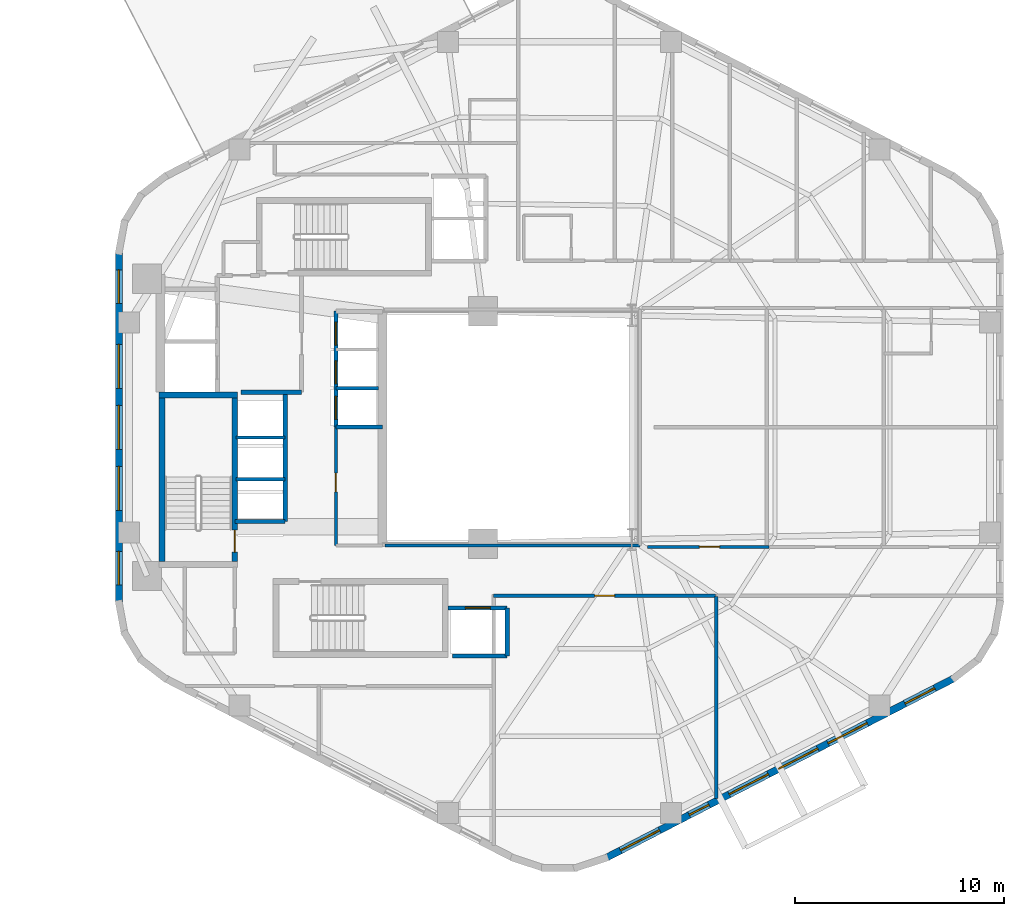
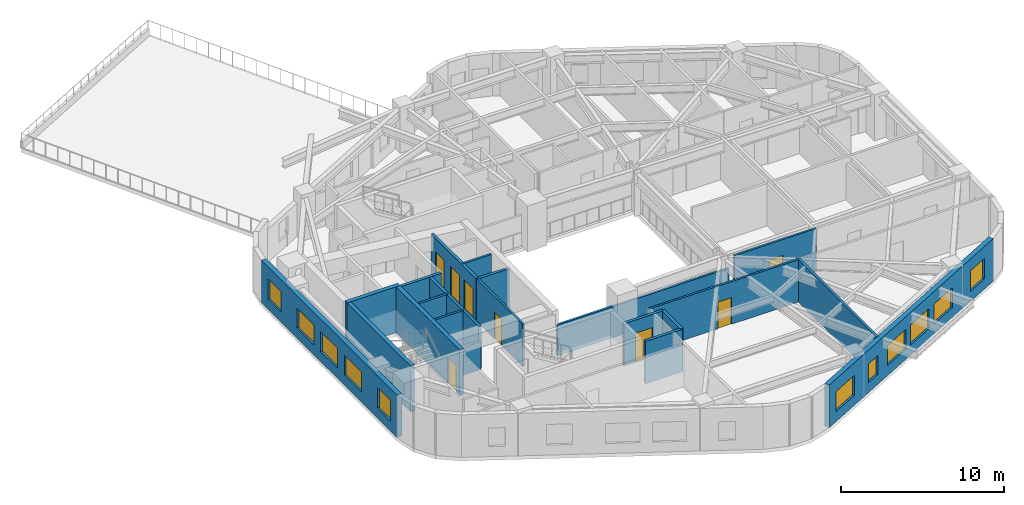
# One storey, part 3 of 8: 21 walls, 11 windows, 8 doors, 19 openings.
"""IFC4 building model written with IfcOpenShell, lengths in metres."""

import ifcopenshell
import ifcopenshell.guid

model = None  # the IFC model being written
_history = None  # IfcOwnerHistory: only IFC2X3 demands one
_inside = {}  # id of a spatial element -> (the spatial element, [elements in it])
_under = {}  # id of a project, library or spatial element -> (it, [spatial elements below it])
_declared = {}  # id of a project -> (the project, [libraries it declares])
_typed = {}  # id of a type object -> (the type object, [elements of that type])
_made_of = {}  # id of a material, layer set ... -> (it, [elements and type objects made of it])


def new_model(schema):
    """Start an empty IFC model of exactly this schema.

    Asked for "IFC4X3", IfcOpenShell would pick the latest addendum, in which some entities
    have other attributes; the version numbers below select the first issue.
    IFC2X3 requires an IfcOwnerHistory on every rooted entity: one is made here for all.
    """
    global model, _history
    if schema == "IFC4X3":
        model = ifcopenshell.file(schema_version=(4, 3, 0, 0))
    else:
        model = ifcopenshell.file(schema=schema)
    _inside.clear()
    _under.clear()
    _declared.clear()
    _typed.clear()
    _made_of.clear()
    _history = None
    if model.schema == "IFC2X3":
        org = make("IfcOrganization", Name="unknown")
        user = make(
            "IfcPersonAndOrganization",
            ThePerson=make("IfcPerson", FamilyName="unknown"),
            TheOrganization=org,
        )
        app = make(
            "IfcApplication",
            ApplicationDeveloper=org,
            Version="unknown",
            ApplicationFullName="unknown",
            ApplicationIdentifier="unknown",
        )
        _history = make(
            "IfcOwnerHistory",
            OwningUser=user,
            OwningApplication=app,
            ChangeAction="ADDED",
            CreationDate=0,
        )
    return model


def make(cls, **values):
    """One entity of the class cls with the attributes given. An attribute that is None is left unset."""
    return model.create_entity(
        cls, **{name: value for name, value in values.items() if value is not None}
    )


def rooted(cls, **values):
    """An entity with a GlobalId (a new one), such as an element, a storey or a relation."""
    return make(cls, GlobalId=ifcopenshell.guid.new(), OwnerHistory=_history, **values)


def si_unit(unit_type, name, prefix=None):
    """IfcSIUnit, for example si_unit("LENGTHUNIT", "METRE", prefix="MILLI")."""
    return make("IfcSIUnit", UnitType=unit_type, Prefix=prefix, Name=name)


def assignment(units):
    """IfcUnitAssignment: the units of a project."""
    return None if units is None else make("IfcUnitAssignment", Units=units)


def point(xyz):
    """IfcCartesianPoint."""
    return None if xyz is None else make("IfcCartesianPoint", Coordinates=xyz)


def direction(xyz):
    """IfcDirection."""
    return None if xyz is None else make("IfcDirection", DirectionRatios=xyz)


def frame(location, z_axis=None, x_axis=None):
    """IfcAxis2Placement3D, a coordinate frame: its origin and axes. An axis left out is left unset."""
    return make(
        "IfcAxis2Placement3D",
        Location=point(location),
        Axis=direction(z_axis),
        RefDirection=direction(x_axis),
    )


def frame_2d(location, x_axis=None):
    """IfcAxis2Placement2D, a coordinate frame in the plane: its origin and x axis."""
    return make(
        "IfcAxis2Placement2D", Location=point(location), RefDirection=direction(x_axis)
    )


def origin():
    """The frame at (0, 0, 0) with its axes left unset."""
    return frame((0.0, 0.0, 0.0))


def place(relative_to, where):
    """IfcLocalPlacement: puts the frame where relative to a parent placement (None: the world)."""
    return make(
        "IfcLocalPlacement", PlacementRelTo=relative_to, RelativePlacement=where
    )


def context(
    kind, dimensions, precision=None, world=None, true_north=None, identifier=None
):
    """IfcGeometricRepresentationContext, for example the 3D "Model" context."""
    return make(
        "IfcGeometricRepresentationContext",
        ContextIdentifier=identifier,
        ContextType=kind,
        CoordinateSpaceDimension=dimensions,
        Precision=precision,
        WorldCoordinateSystem=world,
        TrueNorth=true_north,
    )


def subcontext(parent, identifier, kind, view, scale=None):
    """IfcGeometricRepresentationSubContext, for example "Body" below "Model"."""
    return make(
        "IfcGeometricRepresentationSubContext",
        ContextIdentifier=identifier,
        ContextType=kind,
        ParentContext=parent,
        TargetScale=scale,
        TargetView=view,
    )


def project(units=None, contexts=None):
    """IfcProject with its units and contexts."""
    return rooted(
        "IfcProject",
        Name="project",
        RepresentationContexts=contexts,
        UnitsInContext=assignment(units),
    )


def spatial(cls, under=None, at=None, **own):
    """A site, building, storey or space (cls), placed at a placement, below another one or the project."""
    s = rooted(cls, ObjectPlacement=at, **own)
    if under is not None:
        _under.setdefault(under.id(), (under, []))[1].append(s)
    return s


def profile(cls, at=None, kind="AREA", **sizes):
    """A parametric profile (cls). Its sizes go by their IFC names, for example OverallWidth=200.0."""
    return make(cls, ProfileType=kind, Position=at, **sizes)


def rectangle(**sizes):
    """IfcRectangleProfileDef."""
    return profile("IfcRectangleProfileDef", **sizes)


def extrude(swept, where, along, depth):
    """IfcExtrudedAreaSolid: the profile swept, set in the frame where, extruded along a direction by depth."""
    return make(
        "IfcExtrudedAreaSolid",
        SweptArea=swept,
        Position=where,
        ExtrudedDirection=direction(along),
        Depth=depth,
    )


def shape(context_of_items, identifier, shape_type, items):
    """IfcShapeRepresentation: the items that make up one representation, for example the "Body"."""
    return make(
        "IfcShapeRepresentation",
        ContextOfItems=context_of_items,
        RepresentationIdentifier=identifier,
        RepresentationType=shape_type,
        Items=items,
    )


def material(Name=None, Category=None):
    """IfcMaterial."""
    return make("IfcMaterial", Name=Name, Category=Category)


def layer(
    of_material, thickness, ventilated=None, Name=None, Category=None, Priority=None
):
    """IfcMaterialLayer: one layer of a wall or slab, of a material (None: an air gap)."""
    return make(
        "IfcMaterialLayer",
        Material=of_material,
        LayerThickness=thickness,
        IsVentilated=ventilated,
        Name=Name,
        Category=Category,
        Priority=Priority,
    )


def layer_set(layers, Name=None):
    """IfcMaterialLayerSet."""
    return make("IfcMaterialLayerSet", MaterialLayers=layers, LayerSetName=Name)


def made_of(thing, what):
    """Note that an element or type object is made of a material, layer set ...; save() writes the relation."""
    if what is not None:
        _made_of.setdefault(what.id(), (what, []))[1].append(thing)
    return thing


def type_object(cls, material=None, **own):
    """A type object (cls), such as IfcWallType, which elements share."""
    return made_of(rooted(cls, **own), material)


def element(
    cls,
    number,
    at=None,
    inside=None,
    cuts=None,
    type_object=None,
    material=None,
    context=None,
    identifier="Body",
    shape_type=None,
    held_by="IfcProductDefinitionShape",
    body=None,
    shapes=None,
    **own,
):
    """One element of the class cls, such as IfcWall. Its Tag is "e" and its number.

    at: its placement. inside: the storey or other place that contains it. cuts: it is an
    opening in that element (IfcRelVoidsElement). A single representation is given by context,
    identifier, shape_type and body (its items); several are given by shapes. held_by: the class
    of the entity that holds the representations. save() writes the other relations.
    """
    e = rooted(cls, Tag="e%d" % number, ObjectPlacement=at, **own)
    if body is not None:
        shapes = [shape(context, identifier, shape_type, body)]
    if shapes is not None:
        e.Representation = make(held_by, Representations=shapes)
    if inside is not None:
        _inside.setdefault(inside.id(), (inside, []))[1].append(e)
    if cuts is not None:
        rooted(
            "IfcRelVoidsElement", RelatingBuildingElement=cuts, RelatedOpeningElement=e
        )
    if type_object is not None:
        _typed.setdefault(type_object.id(), (type_object, []))[1].append(e)
    return made_of(e, material)


def fill(opening, filler):
    """IfcRelFillsElement: the door or window that sits in an opening."""
    return rooted(
        "IfcRelFillsElement",
        RelatingOpeningElement=opening,
        RelatedBuildingElement=filler,
    )


def aggregate(whole, parts):
    """IfcRelAggregates: a whole, such as a stair, and the parts it consists of."""
    return rooted("IfcRelAggregates", RelatingObject=whole, RelatedObjects=parts)


def save(model, path):
    """Write the relations noted so far, then the file.

    IfcRelAggregates (storeys below a building ...), IfcRelContainedInSpatialStructure (elements
    in a storey), IfcRelDefinesByType, IfcRelAssociatesMaterial and IfcRelDeclares: one each for
    every whole, place, type object, material and project.
    """
    for whole, parts in _under.values():
        aggregate(whole, parts)
    for where, things in _inside.values():
        rooted(
            "IfcRelContainedInSpatialStructure",
            RelatedElements=things,
            RelatingStructure=where,
        )
    for kind, things in _typed.values():
        rooted("IfcRelDefinesByType", RelatedObjects=things, RelatingType=kind)
    for what, things in _made_of.values():
        rooted("IfcRelAssociatesMaterial", RelatedObjects=things, RelatingMaterial=what)
    for by, libraries in _declared.values():
        rooted("IfcRelDeclares", RelatingContext=by, RelatedDefinitions=libraries)
    model.write(path)


model = new_model("IFC4")

# Units and contexts
model_context = context("Model", 3, precision=1e-05, world=origin(), true_north=direction((0.0, 1.0)))
body_context = subcontext(model_context, "Body", "Model", "MODEL_VIEW")
ifc_project = project(units=[si_unit("LENGTHUNIT", "METRE"), si_unit("AREAUNIT", "SQUARE_METRE"), si_unit("VOLUMEUNIT", "CUBIC_METRE"), si_unit("PLANEANGLEUNIT", "RADIAN"), si_unit("MASSUNIT", "GRAM", prefix="KILO"), si_unit("THERMODYNAMICTEMPERATUREUNIT", "KELVIN"), si_unit("POWERUNIT", "WATT")], contexts=[model_context])

# Site, building, storey
site_placement = place(None, origin())
site = spatial("IfcSite", under=ifc_project, at=site_placement, CompositionType="ELEMENT")
building_placement = place(site_placement, origin())
building = spatial("IfcBuilding", under=site, at=building_placement, Name="Skarre Station Tower", CompositionType="ELEMENT")
storey_placement = place(building_placement, frame((0.0, 0.0, 149.85009765625)))
storey = spatial("IfcBuildingStorey", under=building, at=storey_placement, Name="L40", CompositionType="ELEMENT", Elevation=149.85009765625)

# Wall, opening, door
ifc_material_1 = material(Name="Acoustic Steel-Stud Gypsum Partition", Category="steel")
ifc_layer_1 = layer(ifc_material_1, 0.14990234375, Name="Acoustic Steel-Stud Gypsum Partition")
ifc_layer_set_1 = layer_set([ifc_layer_1], Name="Acoustic Steel-Stud Gypsum Partition")
wall_type_1 = type_object("IfcWallType", Name="Fire-Rated Corridor Acoustic Partition 150", PredefinedType="PARTITIONING", material=ifc_layer_set_1)
wall_1_placement = place(storey_placement, frame((25.320068359375, 24.02001953125, 0.0), z_axis=(0.0, 0.0, 1.0), x_axis=(0.0, -1.0, 0.0)))
wall_1 = element("IfcWall", 1, at=wall_1_placement, inside=storey, type_object=wall_type_1, Name="L40 Interior Partition WL-PT-L40-RC1-W", PredefinedType="PARTITIONING", context=body_context, shape_type="SweptSolid", body=[
    extrude(rectangle(XDim=5.659912109375, YDim=0.14990234375, at=frame_2d((2.830078125, 0.0))), origin(), (0.0, 0.0, 1.0), 3.18994140625),
])
opening_1_placement = place(wall_1_placement, frame((2.199951171875, 0.0, 0.0)))
opening_1 = element("IfcOpeningElement", 2, at=opening_1_placement, cuts=wall_1, Name="Opening DR-SVC90", PredefinedType="OPENING", context=body_context, shape_type="SweptSolid", body=[
    extrude(rectangle(XDim=0.89990234375, YDim=2.0, at=frame_2d((0.449951171875, 1.0))), frame((0.0, 0.0849609375, 0.0), z_axis=(0.0, -1.0, 0.0), x_axis=(1.0, 0.0, 0.0)), (0.0, 0.0, 1.0), 0.169921875),
])
ifc_material_2 = material(Name="Powder-Coated Hollow-Metal Acoustic Fire Leaf", Category="steel")
door_type_1 = type_object("IfcDoorType", Name="Service & Riser Fire Door FD60 900x2100", OperationType="SINGLE_SWING_LEFT", PredefinedType="DOOR", material=ifc_material_2)
door_1_placement = place(opening_1_placement, origin())
door_1 = element("IfcDoor", 3, at=door_1_placement, inside=storey, type_object=door_type_1, Name="L40 Guest Pantry Door", OperationType="SINGLE_SWING_LEFT", OverallHeight=2.0, OverallWidth=0.89990234375, PredefinedType="DOOR", context=body_context, shape_type="SweptSolid", body=[
    extrude(rectangle(XDim=0.89990234375, YDim=2.0, at=frame_2d((0.449951171875, 1.0))), frame((0.0, 0.02490234375, 0.0), z_axis=(0.0, -1.0, 0.0), x_axis=(1.0, 0.0, 0.0)), (0.0, 0.0, 1.0), 0.050048828125),
])
fill(opening_1, door_1)

# Wall
wall_2_placement = place(storey_placement, frame((27.675048828125, 18.360107421875, 0.0), z_axis=(0.0, 0.0, 1.0), x_axis=(1.0, 0.0, 0.0)))
element("IfcWall", 4, at=wall_2_placement, inside=storey, type_object=wall_type_1, Name="L40 Interior Partition WL-PT-L40-ATRW-S", PredefinedType="PARTITIONING", context=body_context, shape_type="SweptSolid", body=[
    extrude(rectangle(XDim=12.1650390625, YDim=0.14990234375, at=frame_2d((6.08251953125, 0.0))), origin(), (0.0, 0.0, 1.0), 2.330810546875),
])

# Wall, opening, door
wall_3_placement = place(storey_placement, frame((46.009033203125, 18.2900390625, 0.0), z_axis=(0.0, 0.0, 1.0), x_axis=(-1.0, 0.0, 0.0)))
wall_3 = element("IfcWall", 5, at=wall_3_placement, inside=storey, type_object=wall_type_1, Name="L40 Interior Partition WL-PT-L40-EWS1-CW", PredefinedType="PARTITIONING", context=body_context, shape_type="SweptSolid", body=[
    extrude(rectangle(XDim=5.80908203125, YDim=0.14990234375, at=frame_2d((2.904541015625, 0.0))), origin(), (0.0, 0.0, 1.0), 3.18994140625),
])
opening_2_placement = place(wall_3_placement, frame((2.366943359375, 0.0, 0.0)))
opening_2 = element("IfcOpeningElement", 6, at=opening_2_placement, cuts=wall_3, Name="Opening DR-FD60", PredefinedType="OPENING", context=body_context, shape_type="SweptSolid", body=[
    extrude(rectangle(XDim=0.9599609375, YDim=2.0, at=frame_2d((0.47998046875, 1.0))), frame((0.0, 0.0849609375, 0.0), z_axis=(0.0, -1.0, 0.0), x_axis=(1.0, 0.0, 0.0)), (0.0, 0.0, 1.0), 0.169921875),
])
ifc_material_3 = material(Name="Nordic White-Oak Veneer Solid-Core Fire Leaf", Category="wood")
door_type_2 = type_object("IfcDoorType", Name="Corridor Suite Entry Fire Door FD60 960x2150", OperationType="SINGLE_SWING_LEFT", PredefinedType="DOOR", material=ifc_material_3)
door_2_placement = place(opening_2_placement, origin())
door_2 = element("IfcDoor", 7, at=door_2_placement, inside=storey, type_object=door_type_2, Name="L40 EWS1 Entry Door", OperationType="SINGLE_SWING_LEFT", OverallHeight=2.0, OverallWidth=0.9599609375, PredefinedType="DOOR", context=body_context, shape_type="SweptSolid", body=[
    extrude(rectangle(XDim=0.9599609375, YDim=2.0, at=frame_2d((0.47998046875, 1.0))), frame((0.0, 0.02490234375, 0.0), z_axis=(0.0, -1.0, 0.0), x_axis=(1.0, 0.0, 0.0)), (0.0, 0.0, 1.0), 0.050048828125),
])
fill(opening_2, door_2)

wall_4_placement = place(storey_placement, frame((32.85009765625, 15.9599609375, 0.0), z_axis=(0.0, 0.0, 1.0), x_axis=(1.0, 0.0, 0.0)))
wall_4 = element("IfcWall", 8, at=wall_4_placement, inside=storey, type_object=wall_type_1, Name="L40 Interior Partition WL-PT-L40-SW1-CW", PredefinedType="PARTITIONING", context=body_context, shape_type="SweptSolid", body=[
    extrude(rectangle(XDim=10.61083984375, YDim=0.14990234375, at=frame_2d((5.305419921875, 0.0))), origin(), (0.0, 0.0, 1.0), 3.18994140625),
])
opening_3_placement = place(wall_4_placement, frame((4.825927734375, 0.0, 0.0)))
opening_3 = element("IfcOpeningElement", 9, at=opening_3_placement, cuts=wall_4, Name="Opening DR-FD60", PredefinedType="OPENING", context=body_context, shape_type="SweptSolid", body=[
    extrude(rectangle(XDim=0.9599609375, YDim=2.0, at=frame_2d((0.47998046875, 1.0))), frame((0.0, 0.0849609375, 0.0), z_axis=(0.0, -1.0, 0.0), x_axis=(1.0, 0.0, 0.0)), (0.0, 0.0, 1.0), 0.169921875),
])
door_3_placement = place(opening_3_placement, origin())
door_3 = element("IfcDoor", 10, at=door_3_placement, inside=storey, type_object=door_type_2, Name="L40 SW1 Entry Door", OperationType="SINGLE_SWING_LEFT", OverallHeight=2.0, OverallWidth=0.9599609375, PredefinedType="DOOR", context=body_context, shape_type="SweptSolid", body=[
    extrude(rectangle(XDim=0.9599609375, YDim=2.0, at=frame_2d((0.47998046875, 1.0))), frame((0.0, 0.02490234375, 0.0), z_axis=(0.0, -1.0, 0.0), x_axis=(1.0, 0.0, 0.0)), (0.0, 0.0, 1.0), 0.050048828125),
])
fill(opening_3, door_3)

# Wall, openings, windows
ifc_material_4 = material(Name="Precast concrete C45/55", Category="concrete")
ifc_layer_2 = layer(ifc_material_4, 0.340087890625, Name="Precast concrete C45/55")
ifc_layer_set_2 = layer_set([ifc_layer_2], Name="Precast concrete C45/55")
wall_type_2 = type_object("IfcWallType", Name="Nordic Honed Precast Facet Wall 340", PredefinedType="STANDARD", material=ifc_layer_set_2)
wall_5_placement = place(storey_placement, frame((14.951904296875, 15.64794921875, 0.0), z_axis=(0.0, 0.0, 1.0), x_axis=(0.0, 1.0, 0.0)))
wall_5 = element("IfcWall", 11, at=wall_5_placement, inside=storey, type_object=wall_type_2, Name="L40 Facet 2 Nordic Precast Masonry Wall", PredefinedType="STANDARD", context=body_context, shape_type="SweptSolid", body=[
    extrude(rectangle(XDim=16.7041015625, YDim=0.340087890625, at=frame_2d((8.35205078125, 0.0))), origin(), (0.0, 0.0, 1.0), 3.18994140625),
])
opening_4_placement = place(wall_5_placement, frame((0.825927734375, 0.0, 0.75)))
opening_4 = element("IfcOpeningElement", 12, at=opening_4_placement, cuts=wall_5, Name="Opening WN-Z2A", PredefinedType="OPENING", context=body_context, shape_type="SweptSolid", body=[
    extrude(rectangle(XDim=1.60009765625, YDim=1.550048828125, at=frame_2d((0.800048828125, 0.77490234375))), frame((0.0, 0.179931640625, 0.0), z_axis=(0.0, -1.0, 0.0), x_axis=(1.0, 0.0, 0.0)), (0.0, 0.0, 1.0), 0.360107421875),
])
opening_5_placement = place(wall_5_placement, frame((4.387939453125, 0.0, 0.75)))
opening_5 = element("IfcOpeningElement", 13, at=opening_5_placement, cuts=wall_5, Name="Opening WN-Z2B", PredefinedType="OPENING", context=body_context, shape_type="SweptSolid", body=[
    extrude(rectangle(XDim=2.10009765625, YDim=1.5, at=frame_2d((1.050048828125, 0.75))), frame((0.0, 0.179931640625, 0.0), z_axis=(0.0, -1.0, 0.0), x_axis=(1.0, 0.0, 0.0)), (0.0, 0.0, 1.0), 0.360107421875),
])
opening_6_placement = place(wall_5_placement, frame((7.302001953125, 0.0, 0.75)))
opening_6 = element("IfcOpeningElement", 14, at=opening_6_placement, cuts=wall_5, Name="Opening WN-Z2B", PredefinedType="OPENING", context=body_context, shape_type="SweptSolid", body=[
    extrude(rectangle(XDim=2.10009765625, YDim=1.5, at=frame_2d((1.050048828125, 0.75))), frame((0.0, 0.179931640625, 0.0), z_axis=(0.0, -1.0, 0.0), x_axis=(1.0, 0.0, 0.0)), (0.0, 0.0, 1.0), 0.360107421875),
])
opening_7_placement = place(wall_5_placement, frame((10.216064453125, 0.0, 0.75)))
opening_7 = element("IfcOpeningElement", 15, at=opening_7_placement, cuts=wall_5, Name="Opening WN-Z2B", PredefinedType="OPENING", context=body_context, shape_type="SweptSolid", body=[
    extrude(rectangle(XDim=2.10009765625, YDim=1.5, at=frame_2d((1.050048828125, 0.75))), frame((0.0, 0.179931640625, 0.0), z_axis=(0.0, -1.0, 0.0), x_axis=(1.0, 0.0, 0.0)), (0.0, 0.0, 1.0), 0.360107421875),
])
opening_8_placement = place(wall_5_placement, frame((14.278076171875, 0.0, 0.75)))
opening_8 = element("IfcOpeningElement", 16, at=opening_8_placement, cuts=wall_5, Name="Opening WN-Z2A", PredefinedType="OPENING", context=body_context, shape_type="SweptSolid", body=[
    extrude(rectangle(XDim=1.60009765625, YDim=1.550048828125, at=frame_2d((0.800048828125, 0.77490234375))), frame((0.0, 0.179931640625, 0.0), z_axis=(0.0, -1.0, 0.0), x_axis=(1.0, 0.0, 0.0)), (0.0, 0.0, 1.0), 0.360107421875),
])
ifc_material_5 = material(Name="Low-Iron Triple Glazing with Bronze Anodized Frame", Category="glass")
window_type_1 = type_object("IfcWindowType", Name="Nordic Residential Tall Window 1600x1550", PartitioningType="SINGLE_PANEL", PredefinedType="WINDOW", material=ifc_material_5)
window_1_placement = place(opening_4_placement, origin())
window_1 = element("IfcWindow", 17, at=window_1_placement, inside=storey, type_object=window_type_1, Name="L40 Facade Window WL-FAC-L40-F2-1", OverallHeight=1.550048828125, OverallWidth=1.60009765625, PartitioningType="SINGLE_PANEL", PredefinedType="WINDOW", context=body_context, shape_type="SweptSolid", body=[
    extrude(rectangle(XDim=1.60009765625, YDim=1.550048828125, at=frame_2d((0.800048828125, 0.77490234375))), frame((0.0, 0.030029296875, 0.0), z_axis=(0.0, -1.0, 0.0), x_axis=(1.0, 0.0, 0.0)), (0.0, 0.0, 1.0), 0.06005859375),
])
fill(opening_4, window_1)
window_2_placement = place(opening_8_placement, origin())
window_2 = element("IfcWindow", 18, at=window_2_placement, inside=storey, type_object=window_type_1, Name="L40 Facade Window WL-FAC-L40-F2-5", OverallHeight=1.550048828125, OverallWidth=1.60009765625, PartitioningType="SINGLE_PANEL", PredefinedType="WINDOW", context=body_context, shape_type="SweptSolid", body=[
    extrude(rectangle(XDim=1.60009765625, YDim=1.550048828125, at=frame_2d((0.800048828125, 0.77490234375))), frame((0.0, 0.030029296875, 0.0), z_axis=(0.0, -1.0, 0.0), x_axis=(1.0, 0.0, 0.0)), (0.0, 0.0, 1.0), 0.06005859375),
])
fill(opening_8, window_2)
window_type_2 = type_object("IfcWindowType", Name="Nordic Residential Twin Window 2100x1500", PartitioningType="SINGLE_PANEL", PredefinedType="WINDOW", material=ifc_material_5)
window_3_placement = place(opening_5_placement, origin())
window_3 = element("IfcWindow", 19, at=window_3_placement, inside=storey, type_object=window_type_2, Name="L40 Facade Window WL-FAC-L40-F2-2", OverallHeight=1.5, OverallWidth=2.10009765625, PartitioningType="SINGLE_PANEL", PredefinedType="WINDOW", context=body_context, shape_type="SweptSolid", body=[
    extrude(rectangle(XDim=2.10009765625, YDim=1.5, at=frame_2d((1.050048828125, 0.75))), frame((0.0, 0.030029296875, 0.0), z_axis=(0.0, -1.0, 0.0), x_axis=(1.0, 0.0, 0.0)), (0.0, 0.0, 1.0), 0.06005859375),
])
fill(opening_5, window_3)
window_4_placement = place(opening_6_placement, origin())
window_4 = element("IfcWindow", 20, at=window_4_placement, inside=storey, type_object=window_type_2, Name="L40 Facade Window WL-FAC-L40-F2-3", OverallHeight=1.5, OverallWidth=2.10009765625, PartitioningType="SINGLE_PANEL", PredefinedType="WINDOW", context=body_context, shape_type="SweptSolid", body=[
    extrude(rectangle(XDim=2.10009765625, YDim=1.5, at=frame_2d((1.050048828125, 0.75))), frame((0.0, 0.030029296875, 0.0), z_axis=(0.0, -1.0, 0.0), x_axis=(1.0, 0.0, 0.0)), (0.0, 0.0, 1.0), 0.06005859375),
])
fill(opening_6, window_4)
window_5_placement = place(opening_7_placement, origin())
window_5 = element("IfcWindow", 21, at=window_5_placement, inside=storey, type_object=window_type_2, Name="L40 Facade Window WL-FAC-L40-F2-4", OverallHeight=1.5, OverallWidth=2.10009765625, PartitioningType="SINGLE_PANEL", PredefinedType="WINDOW", context=body_context, shape_type="SweptSolid", body=[
    extrude(rectangle(XDim=2.10009765625, YDim=1.5, at=frame_2d((1.050048828125, 0.75))), frame((0.0, 0.030029296875, 0.0), z_axis=(0.0, -1.0, 0.0), x_axis=(1.0, 0.0, 0.0)), (0.0, 0.0, 1.0), 0.06005859375),
])
fill(opening_7, window_5)

wall_6_placement = place(storey_placement, frame((54.8310546875, 12.010009765625, 0.0), z_axis=(0.0, 0.0, 1.0), x_axis=(-0.888613612362, -0.458656568606, 0.0)))
wall_6 = element("IfcWall", 22, at=wall_6_placement, inside=storey, type_object=wall_type_2, Name="L40 Facet 4 Nordic Precast Masonry Wall", PredefinedType="STANDARD", context=body_context, shape_type="SweptSolid", body=[
    extrude(rectangle(XDim=18.680908203125, YDim=0.340087890625, at=frame_2d((9.34033203125, 0.0))), origin(), (0.0, 0.0, 1.0), 3.18994140625),
])
opening_9_placement = place(wall_6_placement, frame((1.02294921875, 0.0, 0.75)))
opening_9 = element("IfcOpeningElement", 23, at=opening_9_placement, cuts=wall_6, Name="Opening WN-Z2A", PredefinedType="OPENING", context=body_context, shape_type="SweptSolid", body=[
    extrude(rectangle(XDim=1.60009765625, YDim=1.550048828125, at=frame_2d((0.800048828125, 0.77490234375))), frame((0.0, 0.179931640625, 0.0), z_axis=(0.0, -1.0, 0.0), x_axis=(1.0, 0.0, 0.0)), (0.0, 0.0, 1.0), 0.360107421875),
])
opening_10_placement = place(wall_6_placement, frame((4.655029296875, 0.0, 0.75)))
opening_10 = element("IfcOpeningElement", 24, at=opening_10_placement, cuts=wall_6, Name="Opening WN-Z2B", PredefinedType="OPENING", context=body_context, shape_type="SweptSolid", body=[
    extrude(rectangle(XDim=2.10009765625, YDim=1.5, at=frame_2d((1.050048828125, 0.75))), frame((0.0, 0.179931640625, 0.0), z_axis=(0.0, -1.0, 0.0), x_axis=(1.0, 0.0, 0.0)), (0.0, 0.0, 1.0), 0.360107421875),
])
opening_11_placement = place(wall_6_placement, frame((7.31298828125, 0.0, 0.75)))
opening_11 = element("IfcOpeningElement", 25, at=opening_11_placement, cuts=wall_6, Name="Opening WN-Z2B", PredefinedType="OPENING", context=body_context, shape_type="SweptSolid", body=[
    extrude(rectangle(XDim=2.10009765625, YDim=1.5, at=frame_2d((1.050048828125, 0.75))), frame((0.0, 0.179931640625, 0.0), z_axis=(0.0, -1.0, 0.0), x_axis=(1.0, 0.0, 0.0)), (0.0, 0.0, 1.0), 0.360107421875),
])
opening_12_placement = place(wall_6_placement, frame((9.970947265625, 0.0, 0.75)))
opening_12 = element("IfcOpeningElement", 26, at=opening_12_placement, cuts=wall_6, Name="Opening WN-Z2B", PredefinedType="OPENING", context=body_context, shape_type="SweptSolid", body=[
    extrude(rectangle(XDim=2.10009765625, YDim=1.5, at=frame_2d((1.050048828125, 0.75))), frame((0.0, 0.179931640625, 0.0), z_axis=(0.0, -1.0, 0.0), x_axis=(1.0, 0.0, 0.0)), (0.0, 0.0, 1.0), 0.360107421875),
])
opening_13_placement = place(wall_6_placement, frame((13.1650390625, 0.0, 0.75)))
opening_13 = element("IfcOpeningElement", 27, at=opening_13_placement, cuts=wall_6, Name="Opening WN-SLT", PredefinedType="OPENING", context=body_context, shape_type="SweptSolid", body=[
    extrude(rectangle(XDim=1.050048828125, YDim=1.39990234375, at=frame_2d((0.52490234375, 0.699951171875))), frame((0.0, 0.179931640625, 0.0), z_axis=(0.0, -1.0, 0.0), x_axis=(1.0, 0.0, 0.0)), (0.0, 0.0, 1.0), 0.360107421875),
])
opening_14_placement = place(wall_6_placement, frame((15.80810546875, 0.0, 0.75)))
opening_14 = element("IfcOpeningElement", 28, at=opening_14_placement, cuts=wall_6, Name="Opening WN-Z2B", PredefinedType="OPENING", context=body_context, shape_type="SweptSolid", body=[
    extrude(rectangle(XDim=2.10009765625, YDim=1.5, at=frame_2d((1.050048828125, 0.75))), frame((0.0, 0.179931640625, 0.0), z_axis=(0.0, -1.0, 0.0), x_axis=(1.0, 0.0, 0.0)), (0.0, 0.0, 1.0), 0.360107421875),
])
window_type_3 = type_object("IfcWindowType", Name="Nordic Corner Slot Window 1050x1400", PartitioningType="SINGLE_PANEL", PredefinedType="WINDOW", material=ifc_material_5)
window_6_placement = place(opening_13_placement, origin())
window_6 = element("IfcWindow", 29, at=window_6_placement, inside=storey, type_object=window_type_3, Name="L40 Facade Window WL-FAC-L40-F4-5", OverallHeight=1.39990234375, OverallWidth=1.050048828125, PartitioningType="SINGLE_PANEL", PredefinedType="WINDOW", context=body_context, shape_type="SweptSolid", body=[
    extrude(rectangle(XDim=1.050048828125, YDim=1.39990234375, at=frame_2d((0.52490234375, 0.699951171875))), frame((0.0, 0.030029296875, 0.0), z_axis=(0.0, -1.0, 0.0), x_axis=(1.0, 0.0, 0.0)), (0.0, 0.0, 1.0), 0.06005859375),
])
fill(opening_13, window_6)
window_7_placement = place(opening_9_placement, origin())
window_7 = element("IfcWindow", 30, at=window_7_placement, inside=storey, type_object=window_type_1, Name="L40 Facade Window WL-FAC-L40-F4-1", OverallHeight=1.550048828125, OverallWidth=1.60009765625, PartitioningType="SINGLE_PANEL", PredefinedType="WINDOW", context=body_context, shape_type="SweptSolid", body=[
    extrude(rectangle(XDim=1.60009765625, YDim=1.550048828125, at=frame_2d((0.800048828125, 0.77490234375))), frame((0.0, 0.030029296875, 0.0), z_axis=(0.0, -1.0, 0.0), x_axis=(1.0, 0.0, 0.0)), (0.0, 0.0, 1.0), 0.06005859375),
])
fill(opening_9, window_7)
window_8_placement = place(opening_10_placement, origin())
window_8 = element("IfcWindow", 31, at=window_8_placement, inside=storey, type_object=window_type_2, Name="L40 Facade Window WL-FAC-L40-F4-2", OverallHeight=1.5, OverallWidth=2.10009765625, PartitioningType="SINGLE_PANEL", PredefinedType="WINDOW", context=body_context, shape_type="SweptSolid", body=[
    extrude(rectangle(XDim=2.10009765625, YDim=1.5, at=frame_2d((1.050048828125, 0.75))), frame((0.0, 0.030029296875, 0.0), z_axis=(0.0, -1.0, 0.0), x_axis=(1.0, 0.0, 0.0)), (0.0, 0.0, 1.0), 0.06005859375),
])
fill(opening_10, window_8)
window_9_placement = place(opening_11_placement, origin())
window_9 = element("IfcWindow", 32, at=window_9_placement, inside=storey, type_object=window_type_2, Name="L40 Facade Window WL-FAC-L40-F4-3", OverallHeight=1.5, OverallWidth=2.10009765625, PartitioningType="SINGLE_PANEL", PredefinedType="WINDOW", context=body_context, shape_type="SweptSolid", body=[
    extrude(rectangle(XDim=2.10009765625, YDim=1.5, at=frame_2d((1.050048828125, 0.75))), frame((0.0, 0.030029296875, 0.0), z_axis=(0.0, -1.0, 0.0), x_axis=(1.0, 0.0, 0.0)), (0.0, 0.0, 1.0), 0.06005859375),
])
fill(opening_11, window_9)
window_10_placement = place(opening_12_placement, origin())
window_10 = element("IfcWindow", 33, at=window_10_placement, inside=storey, type_object=window_type_2, Name="L40 Facade Window WL-FAC-L40-F4-4", OverallHeight=1.5, OverallWidth=2.10009765625, PartitioningType="SINGLE_PANEL", PredefinedType="WINDOW", context=body_context, shape_type="SweptSolid", body=[
    extrude(rectangle(XDim=2.10009765625, YDim=1.5, at=frame_2d((1.050048828125, 0.75))), frame((0.0, 0.030029296875, 0.0), z_axis=(0.0, -1.0, 0.0), x_axis=(1.0, 0.0, 0.0)), (0.0, 0.0, 1.0), 0.06005859375),
])
fill(opening_12, window_10)
window_11_placement = place(opening_14_placement, origin())
window_11 = element("IfcWindow", 34, at=window_11_placement, inside=storey, type_object=window_type_2, Name="L40 Facade Window WL-FAC-L40-F4-6", OverallHeight=1.5, OverallWidth=2.10009765625, PartitioningType="SINGLE_PANEL", PredefinedType="WINDOW", context=body_context, shape_type="SweptSolid", body=[
    extrude(rectangle(XDim=2.10009765625, YDim=1.5, at=frame_2d((1.050048828125, 0.75))), frame((0.0, 0.030029296875, 0.0), z_axis=(0.0, -1.0, 0.0), x_axis=(1.0, 0.0, 0.0)), (0.0, 0.0, 1.0), 0.06005859375),
])
fill(opening_14, window_11)

# Walls
ifc_material_6 = material(Name="Concrete C50/60", Category="concrete")
ifc_layer_3 = layer(ifc_material_6, 0.280029296875, Name="Concrete C50/60")
ifc_layer_set_3 = layer_set([ifc_layer_3], Name="Concrete C50/60")
wall_type_3 = type_object("IfcWallType", Name="RC Core Shear Wall 280", PredefinedType="SHEAR", material=ifc_layer_set_3)
wall_7_placement = place(storey_placement, frame((20.6298828125, 25.5400390625, 0.0), z_axis=(0.0, 0.0, 1.0), x_axis=(-1.0, 0.0, 0.0)))
element("IfcWall", 35, at=wall_7_placement, inside=storey, type_object=wall_type_3, Name="L40 Stair ST-1 North Shear Wall", PredefinedType="SHEAR", context=body_context, shape_type="SweptSolid", body=[
    extrude(rectangle(XDim=3.759765625, YDim=0.280029296875, at=frame_2d((1.8798828125, 0.0))), origin(), (0.0, 0.0, 1.0), 3.449951171875),
])
wall_8_placement = place(storey_placement, frame((17.010009765625, 25.39990234375, 0.0), z_axis=(0.0, 0.0, 1.0), x_axis=(0.0, -1.0, 0.0)))
element("IfcWall", 36, at=wall_8_placement, inside=storey, type_object=wall_type_3, Name="L40 Stair ST-1 West Shear Wall", PredefinedType="SHEAR", context=body_context, shape_type="SweptSolid", body=[
    extrude(rectangle(XDim=7.7998046875, YDim=0.280029296875, at=frame_2d((3.89990234375, 0.0))), origin(), (0.0, 0.0, 1.0), 3.449951171875),
])

# Wall, opening, door
wall_9_placement = place(storey_placement, frame((20.489990234375, 17.60009765625, 0.0), z_axis=(0.0, 0.0, 1.0), x_axis=(0.0, 1.0, 0.0)))
wall_9 = element("IfcWall", 37, at=wall_9_placement, inside=storey, type_object=wall_type_3, Name="L40 Stair ST-1 East Shear Wall", PredefinedType="SHEAR", context=body_context, shape_type="SweptSolid", body=[
    extrude(rectangle(XDim=7.7998046875, YDim=0.280029296875, at=frame_2d((3.89990234375, 0.0))), origin(), (0.0, 0.0, 1.0), 3.449951171875),
])
opening_15_placement = place(wall_9_placement, frame((0.43994140625, 0.0, 0.0)))
opening_15 = element("IfcOpeningElement", 38, at=opening_15_placement, cuts=wall_9, Name="Opening DR-FD90", PredefinedType="OPENING", context=body_context, shape_type="SweptSolid", body=[
    extrude(rectangle(XDim=1.050048828125, YDim=2.0, at=frame_2d((0.52490234375, 1.0))), frame((0.0, 0.14990234375, 0.0), z_axis=(0.0, -1.0, 0.0), x_axis=(1.0, 0.0, 0.0)), (0.0, 0.0, 1.0), 0.300048828125),
])
ifc_material_7 = material(Name="Fire-Rated Insulated Steel Frame & Timber Core Leaf", Category="steel")
door_type_3 = type_object("IfcDoorType", Name="Stair & FSAE Lobby Fire Door FD90 1050x2150", OperationType="SINGLE_SWING_RIGHT", PredefinedType="DOOR", material=ifc_material_7)
door_4_placement = place(opening_15_placement, origin())
door_4 = element("IfcDoor", 39, at=door_4_placement, inside=storey, type_object=door_type_3, Name="L40 Stair ST-1 Exit Door", OperationType="SINGLE_SWING_RIGHT", OverallHeight=2.0, OverallWidth=1.050048828125, PredefinedType="DOOR", context=body_context, shape_type="SweptSolid", body=[
    extrude(rectangle(XDim=1.050048828125, YDim=2.0, at=frame_2d((0.52490234375, 1.0))), frame((0.0, 0.02490234375, 0.0), z_axis=(0.0, -1.0, 0.0), x_axis=(1.0, 0.0, 0.0)), (0.0, 0.0, 1.0), 0.050048828125),
])
fill(opening_15, door_4)

# Wall
ifc_material_8 = material(Name="Gypsum Concrete Shaft Assembly C30/37", Category="concrete")
ifc_layer_4 = layer(ifc_material_8, 0.199951171875, Name="Gypsum Concrete Shaft Assembly C30/37")
ifc_layer_set_4 = layer_set([ifc_layer_4], Name="Gypsum Concrete Shaft Assembly C30/37")
wall_type_4 = type_object("IfcWallType", Name="Shaft & Core Fire Partition 200", PredefinedType="PARTITIONING", material=ifc_layer_set_4)
wall_10_placement = place(storey_placement, frame((20.79296875, 25.679931640625, 0.0), z_axis=(0.0, 0.0, 1.0), x_axis=(1.0, 0.0, 0.0)))
element("IfcWall", 40, at=wall_10_placement, inside=storey, type_object=wall_type_4, Name="L40 Interior Partition WL-PT-L40-FSAE-S", PredefinedType="PARTITIONING", context=body_context, shape_type="SweptSolid", body=[
    extrude(rectangle(XDim=2.886962890625, YDim=0.199951171875, at=frame_2d((1.443359375, 0.0))), origin(), (0.0, 0.0, 1.0), 3.18994140625),
])

# Wall, opening, door
wall_11_placement = place(storey_placement, frame((33.5, 15.3798828125, 0.0), z_axis=(0.0, 0.0, 1.0), x_axis=(-1.0, 0.0, 0.0)))
wall_11 = element("IfcWall", 41, at=wall_11_placement, inside=storey, type_object=wall_type_4, Name="L40 Interior Partition WL-PT-L40-SV1-N", PredefinedType="PARTITIONING", context=body_context, shape_type="SweptSolid", body=[
    extrude(rectangle(XDim=2.820068359375, YDim=0.199951171875, at=frame_2d((1.41015625, 0.0))), origin(), (0.0, 0.0, 1.0), 3.18994140625),
])
opening_16_placement = place(wall_11_placement, frame((0.800048828125, 0.0, 0.0)))
opening_16 = element("IfcOpeningElement", 42, at=opening_16_placement, cuts=wall_11, Name="Opening LD-SV1", PredefinedType="OPENING", context=body_context, shape_type="SweptSolid", body=[
    extrude(rectangle(XDim=1.199951171875, YDim=2.199951171875, at=frame_2d((0.60009765625, 1.10009765625))), frame((0.0, 0.10986328125, 0.0), z_axis=(0.0, -1.0, 0.0), x_axis=(1.0, 0.0, 0.0)), (0.0, 0.0, 1.0), 0.219970703125),
])
ifc_material_9 = material(Name="Heavy-Gauge Brushed Stainless Steel Sliding Leaves", Category="steel")
door_type_4 = type_object("IfcDoorType", Name="Service Elevator Wide Sliding Landing Door 1200x2200", OperationType="SLIDING_TO_RIGHT", PredefinedType="DOOR", material=ifc_material_9)
door_5_placement = place(opening_16_placement, origin())
door_5 = element("IfcDoor", 43, at=door_5_placement, inside=storey, type_object=door_type_4, Name="L40 Service Lift LF-SV1 Landing Door", OperationType="SLIDING_TO_RIGHT", OverallHeight=2.199951171875, OverallWidth=1.199951171875, PredefinedType="DOOR", context=body_context, shape_type="SweptSolid", body=[
    extrude(rectangle(XDim=1.199951171875, YDim=2.199951171875, at=frame_2d((0.60009765625, 1.10009765625))), frame((0.0, 0.02490234375, 0.0), z_axis=(0.0, -1.0, 0.0), x_axis=(1.0, 0.0, 0.0)), (0.0, 0.0, 1.0), 0.050048828125),
])
fill(opening_16, door_5)

# Walls
wall_12_placement = place(storey_placement, frame((33.5, 13.080078125, 0.0), z_axis=(0.0, 0.0, 1.0), x_axis=(0.0, 1.0, 0.0)))
element("IfcWall", 44, at=wall_12_placement, inside=storey, type_object=wall_type_4, Name="L40 Interior Partition WL-PT-L40-SV1-E", PredefinedType="PARTITIONING", context=body_context, shape_type="SweptSolid", body=[
    extrude(rectangle(XDim=2.2998046875, YDim=0.199951171875, at=frame_2d((1.14990234375, 0.0))), origin(), (0.0, 0.0, 1.0), 3.18994140625),
])
wall_13_placement = place(storey_placement, frame((30.87890625, 13.080078125, 0.0), z_axis=(0.0, 0.0, 1.0), x_axis=(1.0, 0.0, 0.0)))
element("IfcWall", 45, at=wall_13_placement, inside=storey, type_object=wall_type_4, Name="L40 Interior Partition WL-PT-L40-SV1-S", PredefinedType="PARTITIONING", context=body_context, shape_type="SweptSolid", body=[
    extrude(rectangle(XDim=2.62109375, YDim=0.199951171875, at=frame_2d((1.310546875, 0.0))), origin(), (0.0, 0.0, 1.0), 3.18994140625),
])
wall_14_placement = place(storey_placement, frame((22.89990234375, 19.5, 0.0), z_axis=(0.0, 0.0, 1.0), x_axis=(0.0, 1.0, 0.0)))
element("IfcWall", 46, at=wall_14_placement, inside=storey, type_object=wall_type_4, Name="L40 Interior Partition WL-PT-L40-B3-E", PredefinedType="PARTITIONING", context=body_context, shape_type="SweptSolid", body=[
    extrude(rectangle(XDim=6.0849609375, YDim=0.199951171875, at=frame_2d((3.04248046875, 0.0))), origin(), (0.0, 0.0, 1.0), 3.18994140625),
])
wall_15_placement = place(storey_placement, frame((20.489990234375, 19.5, 0.0), z_axis=(0.0, 0.0, 1.0), x_axis=(1.0, 0.0, 0.0)))
element("IfcWall", 47, at=wall_15_placement, inside=storey, type_object=wall_type_4, Name="L40 Interior Partition WL-PT-L40-B3-S", PredefinedType="PARTITIONING", context=body_context, shape_type="SweptSolid", body=[
    extrude(rectangle(XDim=2.409912109375, YDim=0.199951171875, at=frame_2d((1.205078125, 0.0))), origin(), (0.0, 0.0, 1.0), 2.08984375),
])
for number, where, z_axis, x_axis, name in (
    (48, (20.550048828125, 21.52001953125, 0.0), (0.0, 0.0, 1.0), (1.0, 0.0, 0.0), "L40 Interior Partition WL-PT-L40-B3-D1"),
    (49, (20.550048828125, 23.52001953125, 0.0), (0.0, 0.0, 1.0), (1.0, 0.0, 0.0), "L40 Interior Partition WL-PT-L40-B3-D2"),
):
    element("IfcWall", number, at=place(storey_placement, frame(where, z_axis=z_axis, x_axis=x_axis)), inside=storey, type_object=wall_type_4, Name=name, PredefinedType="PARTITIONING", context=body_context, shape_type="SweptSolid", body=[
        extrude(rectangle(XDim=2.349853515625, YDim=0.159912109375, at=frame_2d((1.1748046875, 0.0))), origin(), (0.0, 0.0, 1.0), 3.18994140625),
    ])

# Wall, openings, doors
wall_16_placement = place(storey_placement, frame((25.320068359375, 29.550048828125, 0.0), z_axis=(0.0, 0.0, 1.0), x_axis=(0.0, -1.0, 0.0)))
wall_16 = element("IfcWall", 50, at=wall_16_placement, inside=storey, type_object=wall_type_4, Name="L40 Interior Partition WL-PT-L40-B2-W", PredefinedType="PARTITIONING", context=body_context, shape_type="SweptSolid", body=[
    extrude(rectangle(XDim=5.530029296875, YDim=0.199951171875, at=frame_2d((2.76513671875, 0.0))), origin(), (0.0, 0.0, 1.0), 3.18994140625),
])
opening_17_placement = place(wall_16_placement, frame((0.52001953125, 0.0, 0.0)))
opening_17 = element("IfcOpeningElement", 51, at=opening_17_placement, cuts=wall_16, Name="Opening LD-P6", PredefinedType="OPENING", context=body_context, shape_type="SweptSolid", body=[
    extrude(rectangle(XDim=1.10009765625, YDim=2.199951171875, at=frame_2d((0.550048828125, 1.10009765625))), frame((0.0, 0.10986328125, 0.0), z_axis=(0.0, -1.0, 0.0), x_axis=(1.0, 0.0, 0.0)), (0.0, 0.0, 1.0), 0.219970703125),
])
opening_18_placement = place(wall_16_placement, frame((2.3701171875, 0.0, 0.0)))
opening_18 = element("IfcOpeningElement", 52, at=opening_18_placement, cuts=wall_16, Name="Opening LD-P5", PredefinedType="OPENING", context=body_context, shape_type="SweptSolid", body=[
    extrude(rectangle(XDim=1.10009765625, YDim=2.199951171875, at=frame_2d((0.550048828125, 1.10009765625))), frame((0.0, 0.10986328125, 0.0), z_axis=(0.0, -1.0, 0.0), x_axis=(1.0, 0.0, 0.0)), (0.0, 0.0, 1.0), 0.219970703125),
])
opening_19_placement = place(wall_16_placement, frame((4.070068359375, 0.0, 0.0)))
opening_19 = element("IfcOpeningElement", 53, at=opening_19_placement, cuts=wall_16, Name="Opening LD-P4", PredefinedType="OPENING", context=body_context, shape_type="SweptSolid", body=[
    extrude(rectangle(XDim=1.10009765625, YDim=2.199951171875, at=frame_2d((0.550048828125, 1.10009765625))), frame((0.0, 0.10986328125, 0.0), z_axis=(0.0, -1.0, 0.0), x_axis=(1.0, 0.0, 0.0)), (0.0, 0.0, 1.0), 0.219970703125),
])
ifc_material_10 = material(Name="Brushed Bronze Stainless Steel Sliding Leaves", Category="steel")
door_type_5 = type_object("IfcDoorType", Name="Passenger Elevator Center-Parting Sliding Door 1100x2200", OperationType="SLIDING_TO_LEFT", PredefinedType="DOOR", material=ifc_material_10)
door_6_placement = place(opening_17_placement, origin())
door_6 = element("IfcDoor", 54, at=door_6_placement, inside=storey, type_object=door_type_5, Name="L40 Passenger Lift LF-P6 Landing Door", OperationType="SLIDING_TO_LEFT", OverallHeight=2.199951171875, OverallWidth=1.10009765625, PredefinedType="DOOR", context=body_context, shape_type="SweptSolid", body=[
    extrude(rectangle(XDim=1.10009765625, YDim=2.199951171875, at=frame_2d((0.550048828125, 1.10009765625))), frame((0.0, 0.02490234375, 0.0), z_axis=(0.0, -1.0, 0.0), x_axis=(1.0, 0.0, 0.0)), (0.0, 0.0, 1.0), 0.050048828125),
])
fill(opening_17, door_6)
door_7_placement = place(opening_18_placement, origin())
door_7 = element("IfcDoor", 55, at=door_7_placement, inside=storey, type_object=door_type_5, Name="L40 Passenger Lift LF-P5 Landing Door", OperationType="SLIDING_TO_LEFT", OverallHeight=2.199951171875, OverallWidth=1.10009765625, PredefinedType="DOOR", context=body_context, shape_type="SweptSolid", body=[
    extrude(rectangle(XDim=1.10009765625, YDim=2.199951171875, at=frame_2d((0.550048828125, 1.10009765625))), frame((0.0, 0.02490234375, 0.0), z_axis=(0.0, -1.0, 0.0), x_axis=(1.0, 0.0, 0.0)), (0.0, 0.0, 1.0), 0.050048828125),
])
fill(opening_18, door_7)
door_8_placement = place(opening_19_placement, origin())
door_8 = element("IfcDoor", 56, at=door_8_placement, inside=storey, type_object=door_type_5, Name="L40 Passenger Lift LF-P4 Landing Door", OperationType="SLIDING_TO_LEFT", OverallHeight=2.199951171875, OverallWidth=1.10009765625, PredefinedType="DOOR", context=body_context, shape_type="SweptSolid", body=[
    extrude(rectangle(XDim=1.10009765625, YDim=2.199951171875, at=frame_2d((0.550048828125, 1.10009765625))), frame((0.0, 0.02490234375, 0.0), z_axis=(0.0, -1.0, 0.0), x_axis=(1.0, 0.0, 0.0)), (0.0, 0.0, 1.0), 0.050048828125),
])
fill(opening_19, door_8)

# Walls
wall_17_placement = place(storey_placement, frame((25.320068359375, 24.02001953125, 0.0), z_axis=(0.0, 0.0, 1.0), x_axis=(1.0, 0.0, 0.0)))
element("IfcWall", 57, at=wall_17_placement, inside=storey, type_object=wall_type_4, Name="L40 Interior Partition WL-PT-L40-B2-S", PredefinedType="PARTITIONING", context=body_context, shape_type="SweptSolid", body=[
    extrude(rectangle(XDim=2.22998046875, YDim=0.199951171875, at=frame_2d((1.114990234375, 0.0))), origin(), (0.0, 0.0, 1.0), 3.18994140625),
])
wall_18_placement = place(storey_placement, frame((25.320068359375, 25.8701171875, 0.0), z_axis=(0.0, 0.0, 1.0), x_axis=(1.0, 0.0, 0.0)))
element("IfcWall", 58, at=wall_18_placement, inside=storey, type_object=wall_type_4, Name="L40 Interior Partition WL-PT-L40-B2-D258", PredefinedType="PARTITIONING", context=body_context, shape_type="SweptSolid", body=[
    extrude(rectangle(XDim=2.030029296875, YDim=0.159912109375, at=frame_2d((1.01513671875, 0.0))), origin(), (0.0, 0.0, 1.0), 3.18994140625),
])
ifc_layer_5 = layer(ifc_material_1, 0.1650390625, Name="Acoustic Steel-Stud Gypsum Partition")
ifc_layer_set_5 = layer_set([ifc_layer_5], Name="Acoustic Steel-Stud Gypsum Partition")
wall_type_5 = type_object("IfcWallType", Name="Suite Demising Acoustic Partition 165", PredefinedType="PARTITIONING", material=ifc_layer_set_5)
wall_19_placement = place(storey_placement, frame((43.47900390625, 6.285888671875, 0.0), z_axis=(0.0, 0.0, 1.0), x_axis=(0.0, 1.0, 0.0)))
element("IfcWall", 59, at=wall_19_placement, inside=storey, type_object=wall_type_5, Name="L40 Interior Partition WL-PT-L40-SW-P1", PredefinedType="PARTITIONING", context=body_context, shape_type="SweptSolid", body=[
    extrude(rectangle(XDim=9.64404296875, YDim=0.1650390625, at=frame_2d((4.822021484375, 0.0))), origin(), (0.0, 0.0, 1.0), 3.18994140625),
])

save(model, "model.ifc")
